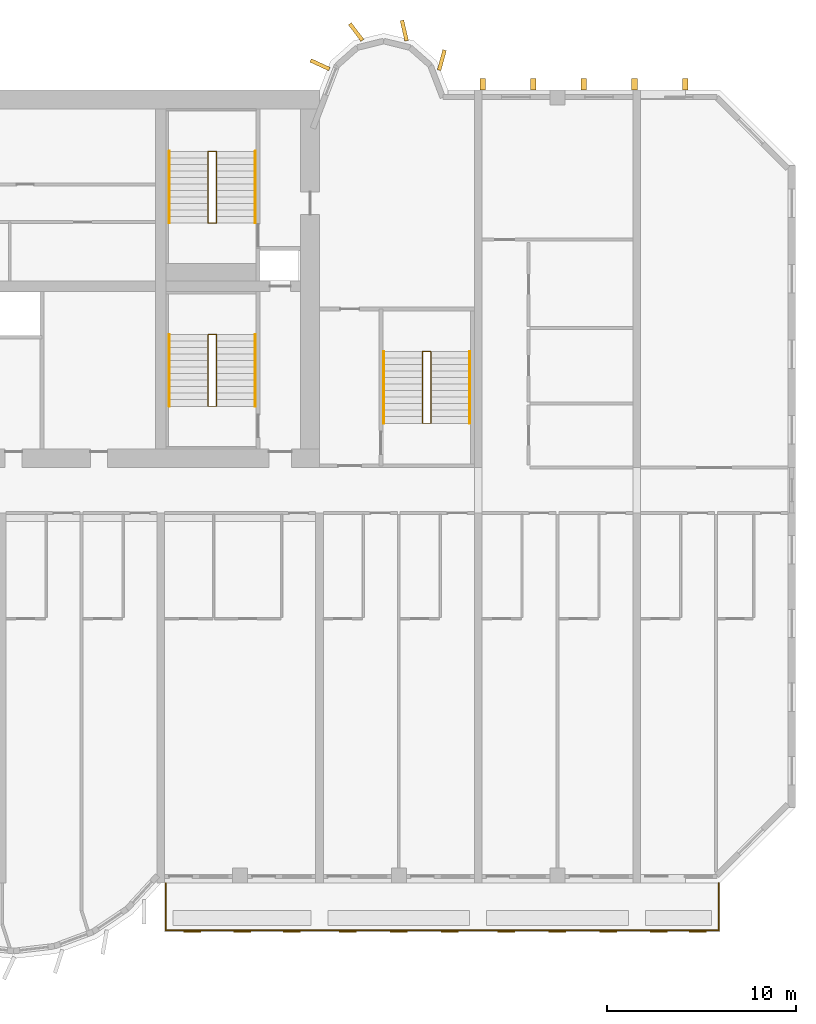
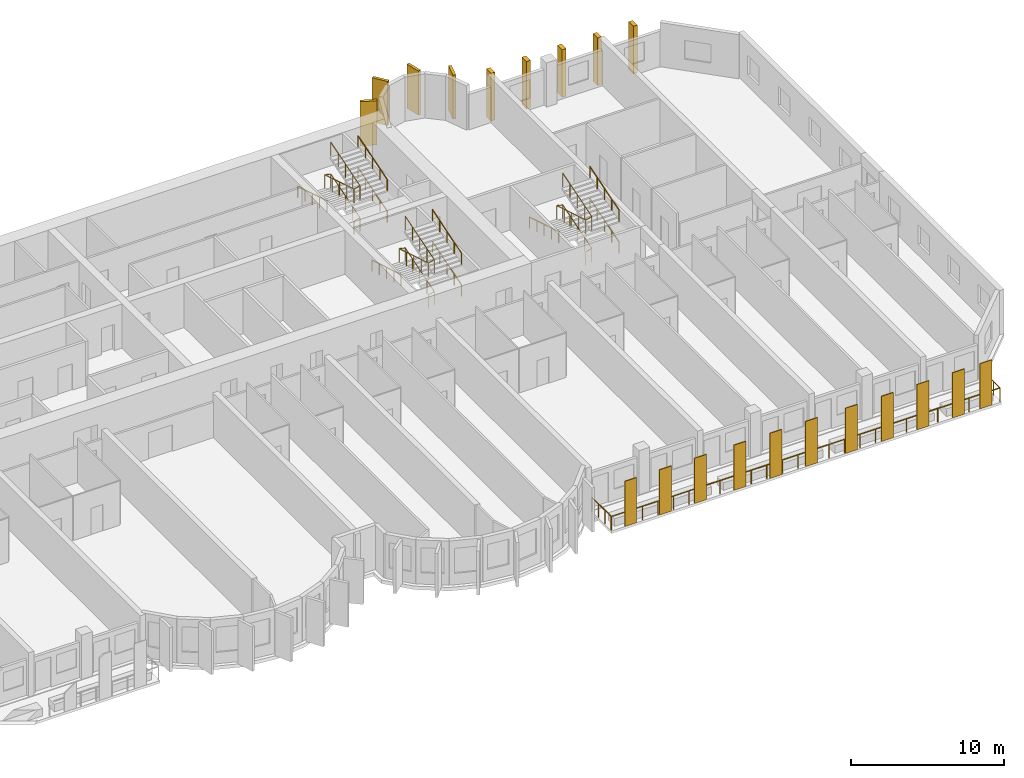
# One storey, part 13 of 14: 20 coverings, 13 railings.
"""IFC4 building model written with IfcOpenShell, lengths in metres."""

import ifcopenshell
import ifcopenshell.guid

model = None  # the IFC model being written
_history = None  # IfcOwnerHistory: only IFC2X3 demands one
_inside = {}  # id of a spatial element -> (the spatial element, [elements in it])
_under = {}  # id of a project, library or spatial element -> (it, [spatial elements below it])
_declared = {}  # id of a project -> (the project, [libraries it declares])
_typed = {}  # id of a type object -> (the type object, [elements of that type])
_made_of = {}  # id of a material, layer set ... -> (it, [elements and type objects made of it])


def new_model(schema):
    """Start an empty IFC model of exactly this schema.

    Asked for "IFC4X3", IfcOpenShell would pick the latest addendum, in which some entities
    have other attributes; the version numbers below select the first issue.
    IFC2X3 requires an IfcOwnerHistory on every rooted entity: one is made here for all.
    """
    global model, _history
    if schema == "IFC4X3":
        model = ifcopenshell.file(schema_version=(4, 3, 0, 0))
    else:
        model = ifcopenshell.file(schema=schema)
    _inside.clear()
    _under.clear()
    _declared.clear()
    _typed.clear()
    _made_of.clear()
    _history = None
    if model.schema == "IFC2X3":
        org = make("IfcOrganization", Name="unknown")
        user = make(
            "IfcPersonAndOrganization",
            ThePerson=make("IfcPerson", FamilyName="unknown"),
            TheOrganization=org,
        )
        app = make(
            "IfcApplication",
            ApplicationDeveloper=org,
            Version="unknown",
            ApplicationFullName="unknown",
            ApplicationIdentifier="unknown",
        )
        _history = make(
            "IfcOwnerHistory",
            OwningUser=user,
            OwningApplication=app,
            ChangeAction="ADDED",
            CreationDate=0,
        )
    return model


def make(cls, **values):
    """One entity of the class cls with the attributes given. An attribute that is None is left unset."""
    return model.create_entity(
        cls, **{name: value for name, value in values.items() if value is not None}
    )


def rooted(cls, **values):
    """An entity with a GlobalId (a new one), such as an element, a storey or a relation."""
    return make(cls, GlobalId=ifcopenshell.guid.new(), OwnerHistory=_history, **values)


def si_unit(unit_type, name, prefix=None):
    """IfcSIUnit, for example si_unit("LENGTHUNIT", "METRE", prefix="MILLI")."""
    return make("IfcSIUnit", UnitType=unit_type, Prefix=prefix, Name=name)


def assignment(units):
    """IfcUnitAssignment: the units of a project."""
    return None if units is None else make("IfcUnitAssignment", Units=units)


def point(xyz):
    """IfcCartesianPoint."""
    return None if xyz is None else make("IfcCartesianPoint", Coordinates=xyz)


def direction(xyz):
    """IfcDirection."""
    return None if xyz is None else make("IfcDirection", DirectionRatios=xyz)


def frame(location, z_axis=None, x_axis=None):
    """IfcAxis2Placement3D, a coordinate frame: its origin and axes. An axis left out is left unset."""
    return make(
        "IfcAxis2Placement3D",
        Location=point(location),
        Axis=direction(z_axis),
        RefDirection=direction(x_axis),
    )


def frame_2d(location, x_axis=None):
    """IfcAxis2Placement2D, a coordinate frame in the plane: its origin and x axis."""
    return make(
        "IfcAxis2Placement2D", Location=point(location), RefDirection=direction(x_axis)
    )


def origin():
    """The frame at (0, 0, 0) with its axes left unset."""
    return frame((0.0, 0.0, 0.0))


def origin_2d():
    """The frame at (0, 0) in the plane with its x axis left unset."""
    return frame_2d((0.0, 0.0))


def place(relative_to, where):
    """IfcLocalPlacement: puts the frame where relative to a parent placement (None: the world)."""
    return make(
        "IfcLocalPlacement", PlacementRelTo=relative_to, RelativePlacement=where
    )


def context(
    kind, dimensions, precision=None, world=None, true_north=None, identifier=None
):
    """IfcGeometricRepresentationContext, for example the 3D "Model" context."""
    return make(
        "IfcGeometricRepresentationContext",
        ContextIdentifier=identifier,
        ContextType=kind,
        CoordinateSpaceDimension=dimensions,
        Precision=precision,
        WorldCoordinateSystem=world,
        TrueNorth=true_north,
    )


def subcontext(parent, identifier, kind, view, scale=None):
    """IfcGeometricRepresentationSubContext, for example "Body" below "Model"."""
    return make(
        "IfcGeometricRepresentationSubContext",
        ContextIdentifier=identifier,
        ContextType=kind,
        ParentContext=parent,
        TargetScale=scale,
        TargetView=view,
    )


def project(units=None, contexts=None):
    """IfcProject with its units and contexts."""
    return rooted(
        "IfcProject",
        Name="project",
        RepresentationContexts=contexts,
        UnitsInContext=assignment(units),
    )


def spatial(cls, under=None, at=None, **own):
    """A site, building, storey or space (cls), placed at a placement, below another one or the project."""
    s = rooted(cls, ObjectPlacement=at, **own)
    if under is not None:
        _under.setdefault(under.id(), (under, []))[1].append(s)
    return s


def profile(cls, at=None, kind="AREA", **sizes):
    """A parametric profile (cls). Its sizes go by their IFC names, for example OverallWidth=200.0."""
    return make(cls, ProfileType=kind, Position=at, **sizes)


def rectangle(**sizes):
    """IfcRectangleProfileDef."""
    return profile("IfcRectangleProfileDef", **sizes)


def circle(**sizes):
    """IfcCircleProfileDef."""
    return profile("IfcCircleProfileDef", **sizes)


def extrude(swept, where, along, depth):
    """IfcExtrudedAreaSolid: the profile swept, set in the frame where, extruded along a direction by depth."""
    return make(
        "IfcExtrudedAreaSolid",
        SweptArea=swept,
        Position=where,
        ExtrudedDirection=direction(along),
        Depth=depth,
    )


def shape(context_of_items, identifier, shape_type, items):
    """IfcShapeRepresentation: the items that make up one representation, for example the "Body"."""
    return make(
        "IfcShapeRepresentation",
        ContextOfItems=context_of_items,
        RepresentationIdentifier=identifier,
        RepresentationType=shape_type,
        Items=items,
    )


def source(mapping_origin, context_of_items, identifier, shape_type, items):
    """IfcRepresentationMap: a shape defined once, which mapped items show again and again."""
    return make(
        "IfcRepresentationMap",
        MappingOrigin=mapping_origin,
        MappedRepresentation=shape(context_of_items, identifier, shape_type, items),
    )


def transform(
    local_origin,
    x_axis=None,
    y_axis=None,
    z_axis=None,
    scale=None,
    scale2=None,
    scale3=None,
    uniform=True,
):
    """IfcCartesianTransformationOperator3D, or its non-uniform kind. x_axis, y_axis, z_axis: its Axis1, 2, 3."""
    if uniform:
        return make(
            "IfcCartesianTransformationOperator3D",
            Axis1=direction(x_axis),
            Axis2=direction(y_axis),
            LocalOrigin=point(local_origin),
            Scale=scale,
            Axis3=direction(z_axis),
        )
    return make(
        "IfcCartesianTransformationOperator3DnonUniform",
        Axis1=direction(x_axis),
        Axis2=direction(y_axis),
        LocalOrigin=point(local_origin),
        Scale=scale,
        Axis3=direction(z_axis),
        Scale2=scale2,
        Scale3=scale3,
    )


def mapped(mapping_source, mapping_target):
    """IfcMappedItem: shows the shape of a source again, moved by a transform."""
    return make(
        "IfcMappedItem", MappingSource=mapping_source, MappingTarget=mapping_target
    )


def material(Name=None, Category=None):
    """IfcMaterial."""
    return make("IfcMaterial", Name=Name, Category=Category)


def layer(
    of_material, thickness, ventilated=None, Name=None, Category=None, Priority=None
):
    """IfcMaterialLayer: one layer of a wall or slab, of a material (None: an air gap)."""
    return make(
        "IfcMaterialLayer",
        Material=of_material,
        LayerThickness=thickness,
        IsVentilated=ventilated,
        Name=Name,
        Category=Category,
        Priority=Priority,
    )


def layer_set(layers, Name=None):
    """IfcMaterialLayerSet."""
    return make("IfcMaterialLayerSet", MaterialLayers=layers, LayerSetName=Name)


def material_profile(
    of_material, cross_section, Name=None, Category=None, Priority=None
):
    """IfcMaterialProfile: a cross section and its material."""
    return make(
        "IfcMaterialProfile",
        Name=Name,
        Material=of_material,
        Profile=cross_section,
        Priority=Priority,
        Category=Category,
    )


def profile_set(profiles, Name=None, composite=None):
    """IfcMaterialProfileSet."""
    return make(
        "IfcMaterialProfileSet",
        Name=Name,
        MaterialProfiles=profiles,
        CompositeProfile=composite,
    )


def made_of(thing, what):
    """Note that an element or type object is made of a material, layer set ...; save() writes the relation."""
    if what is not None:
        _made_of.setdefault(what.id(), (what, []))[1].append(thing)
    return thing


def type_object(cls, material=None, **own):
    """A type object (cls), such as IfcWallType, which elements share."""
    return made_of(rooted(cls, **own), material)


def element(
    cls,
    number,
    at=None,
    inside=None,
    cuts=None,
    type_object=None,
    material=None,
    context=None,
    identifier="Body",
    shape_type=None,
    held_by="IfcProductDefinitionShape",
    body=None,
    shapes=None,
    **own,
):
    """One element of the class cls, such as IfcWall. Its Tag is "e" and its number.

    at: its placement. inside: the storey or other place that contains it. cuts: it is an
    opening in that element (IfcRelVoidsElement). A single representation is given by context,
    identifier, shape_type and body (its items); several are given by shapes. held_by: the class
    of the entity that holds the representations. save() writes the other relations.
    """
    e = rooted(cls, Tag="e%d" % number, ObjectPlacement=at, **own)
    if body is not None:
        shapes = [shape(context, identifier, shape_type, body)]
    if shapes is not None:
        e.Representation = make(held_by, Representations=shapes)
    if inside is not None:
        _inside.setdefault(inside.id(), (inside, []))[1].append(e)
    if cuts is not None:
        rooted(
            "IfcRelVoidsElement", RelatingBuildingElement=cuts, RelatedOpeningElement=e
        )
    if type_object is not None:
        _typed.setdefault(type_object.id(), (type_object, []))[1].append(e)
    return made_of(e, material)


def aggregate(whole, parts):
    """IfcRelAggregates: a whole, such as a stair, and the parts it consists of."""
    return rooted("IfcRelAggregates", RelatingObject=whole, RelatedObjects=parts)


def save(model, path):
    """Write the relations noted so far, then the file.

    IfcRelAggregates (storeys below a building ...), IfcRelContainedInSpatialStructure (elements
    in a storey), IfcRelDefinesByType, IfcRelAssociatesMaterial and IfcRelDeclares: one each for
    every whole, place, type object, material and project.
    """
    for whole, parts in _under.values():
        aggregate(whole, parts)
    for where, things in _inside.values():
        rooted(
            "IfcRelContainedInSpatialStructure",
            RelatedElements=things,
            RelatingStructure=where,
        )
    for kind, things in _typed.values():
        rooted("IfcRelDefinesByType", RelatedObjects=things, RelatingType=kind)
    for what, things in _made_of.values():
        rooted("IfcRelAssociatesMaterial", RelatedObjects=things, RelatingMaterial=what)
    for by, libraries in _declared.values():
        rooted("IfcRelDeclares", RelatingContext=by, RelatedDefinitions=libraries)
    model.write(path)


model = new_model("IFC4")

# Units and contexts
model_context = context("Model", 3, precision=1e-05, world=origin(), true_north=direction((0.0, 1.0)))
body_context = subcontext(model_context, "Body", "Model", "MODEL_VIEW")
ifc_project = project(units=[si_unit("LENGTHUNIT", "METRE"), si_unit("AREAUNIT", "SQUARE_METRE"), si_unit("VOLUMEUNIT", "CUBIC_METRE"), si_unit("PLANEANGLEUNIT", "RADIAN"), si_unit("MASSUNIT", "GRAM", prefix="KILO")], contexts=[model_context])

# Site, building, storey
site_placement = place(None, origin())
site = spatial("IfcSite", under=ifc_project, at=site_placement, CompositionType="ELEMENT")
building_placement = place(site_placement, origin())
building = spatial("IfcBuilding", under=site, at=building_placement, Name="Vanashikhar Sky Hotel", CompositionType="ELEMENT")
storey_placement = place(building_placement, frame((0.0, 0.0, 50.60009765625)))
storey = spatial("IfcBuildingStorey", under=building, at=storey_placement, Name="L11", CompositionType="ELEMENT", Elevation=50.60009765625)

# Railing
ifc_material_1 = material(Name="Stainless steel 316", Category="steel")
railing_type_1 = type_object("IfcRailingType", Name="Balcony guard 1100", PredefinedType="GUARDRAIL", material=ifc_material_1)
shared_shape_1 = source(origin(), body_context, "Body", "SweptSolid", [
    extrude(circle(Radius=0.02392578125, at=origin_2d()), frame((0.0, 0.0, 1.076171875), z_axis=(0.0, -1.0, 0.0), x_axis=(1.0, 0.0, 0.0)), (0.0, 0.0, 1.0), 2.5),
    extrude(circle(Radius=0.02392578125, at=origin_2d()), frame((0.0, -2.5, 1.076171875), z_axis=(1.0, 0.0, 0.0), x_axis=(0.0, 1.0, 0.0)), (0.0, 0.0, 1.0), 29.280029296875),
    extrude(circle(Radius=0.02392578125, at=origin_2d()), frame((29.280029296875, -2.5, 1.076171875), z_axis=(0.0, 1.0, 0.0), x_axis=(-1.0, 0.0, 0.0)), (0.0, 0.0, 1.0), 2.5),
    extrude(circle(Radius=0.02099609375, at=origin_2d()), origin(), (0.0, 0.0, 1.0), 1.052001953125),
    extrude(circle(Radius=0.02099609375, at=origin_2d()), frame((0.0, -0.833251953125, 0.0)), (0.0, 0.0, 1.0), 1.052001953125),
    extrude(circle(Radius=0.02099609375, at=origin_2d()), frame((0.0, -1.666748046875, 0.0)), (0.0, 0.0, 1.0), 1.052001953125),
    extrude(circle(Radius=0.02099609375, at=origin_2d()), frame((0.0, -2.5, 0.0)), (0.0, 0.0, 1.0), 1.052001953125),
    extrude(circle(Radius=0.02099609375, at=origin_2d()), frame((1.171142578125, -2.5, 0.0)), (0.0, 0.0, 1.0), 1.052001953125),
    extrude(circle(Radius=0.02099609375, at=origin_2d()), frame((2.34228515625, -2.5, 0.0)), (0.0, 0.0, 1.0), 1.052001953125),
    extrude(circle(Radius=0.02099609375, at=origin_2d()), frame((3.513671875, -2.5, 0.0)), (0.0, 0.0, 1.0), 1.052001953125),
    extrude(circle(Radius=0.02099609375, at=origin_2d()), frame((4.684814453125, -2.5, 0.0)), (0.0, 0.0, 1.0), 1.052001953125),
    extrude(circle(Radius=0.02099609375, at=origin_2d()), frame((5.85595703125, -2.5, 0.0)), (0.0, 0.0, 1.0), 1.052001953125),
    extrude(circle(Radius=0.02099609375, at=origin_2d()), frame((7.027099609375, -2.5, 0.0)), (0.0, 0.0, 1.0), 1.052001953125),
    extrude(circle(Radius=0.02099609375, at=origin_2d()), frame((8.198486328125, -2.5, 0.0)), (0.0, 0.0, 1.0), 1.052001953125),
    extrude(circle(Radius=0.02099609375, at=origin_2d()), frame((9.36962890625, -2.5, 0.0)), (0.0, 0.0, 1.0), 1.052001953125),
    extrude(circle(Radius=0.02099609375, at=origin_2d()), frame((10.540771484375, -2.5, 0.0)), (0.0, 0.0, 1.0), 1.052001953125),
    extrude(circle(Radius=0.02099609375, at=origin_2d()), frame((11.7119140625, -2.5, 0.0)), (0.0, 0.0, 1.0), 1.052001953125),
    extrude(circle(Radius=0.02099609375, at=origin_2d()), frame((12.88330078125, -2.5, 0.0)), (0.0, 0.0, 1.0), 1.052001953125),
    extrude(circle(Radius=0.02099609375, at=origin_2d()), frame((14.054443359375, -2.5, 0.0)), (0.0, 0.0, 1.0), 1.052001953125),
    extrude(circle(Radius=0.02099609375, at=origin_2d()), frame((15.2255859375, -2.5, 0.0)), (0.0, 0.0, 1.0), 1.052001953125),
    extrude(circle(Radius=0.02099609375, at=origin_2d()), frame((16.396728515625, -2.5, 0.0)), (0.0, 0.0, 1.0), 1.052001953125),
    extrude(circle(Radius=0.02099609375, at=origin_2d()), frame((17.568115234375, -2.5, 0.0)), (0.0, 0.0, 1.0), 1.052001953125),
    extrude(circle(Radius=0.02099609375, at=origin_2d()), frame((18.7392578125, -2.5, 0.0)), (0.0, 0.0, 1.0), 1.052001953125),
    extrude(circle(Radius=0.02099609375, at=origin_2d()), frame((19.910400390625, -2.5, 0.0)), (0.0, 0.0, 1.0), 1.052001953125),
    extrude(circle(Radius=0.02099609375, at=origin_2d()), frame((21.08154296875, -2.5, 0.0)), (0.0, 0.0, 1.0), 1.052001953125),
    extrude(circle(Radius=0.02099609375, at=origin_2d()), frame((22.2529296875, -2.5, 0.0)), (0.0, 0.0, 1.0), 1.052001953125),
    extrude(circle(Radius=0.02099609375, at=origin_2d()), frame((23.424072265625, -2.5, 0.0)), (0.0, 0.0, 1.0), 1.052001953125),
    extrude(circle(Radius=0.02099609375, at=origin_2d()), frame((24.59521484375, -2.5, 0.0)), (0.0, 0.0, 1.0), 1.052001953125),
    extrude(circle(Radius=0.02099609375, at=origin_2d()), frame((25.766357421875, -2.5, 0.0)), (0.0, 0.0, 1.0), 1.052001953125),
    extrude(circle(Radius=0.02099609375, at=origin_2d()), frame((26.937744140625, -2.5, 0.0)), (0.0, 0.0, 1.0), 1.052001953125),
    extrude(circle(Radius=0.02099609375, at=origin_2d()), frame((28.10888671875, -2.5, 0.0)), (0.0, 0.0, 1.0), 1.052001953125),
    extrude(circle(Radius=0.02099609375, at=origin_2d()), frame((29.280029296875, -2.5, 0.0)), (0.0, 0.0, 1.0), 1.052001953125),
    extrude(circle(Radius=0.02099609375, at=origin_2d()), frame((29.280029296875, -1.666748046875, 0.0)), (0.0, 0.0, 1.0), 1.052001953125),
    extrude(circle(Radius=0.02099609375, at=origin_2d()), frame((29.280029296875, -0.833251953125, 0.0)), (0.0, 0.0, 1.0), 1.052001953125),
    extrude(circle(Radius=0.02099609375, at=origin_2d()), frame((29.280029296875, 0.0, 0.0)), (0.0, 0.0, 1.0), 1.052001953125),
])
railing_1_placement = place(storey_placement, frame((67.4599609375, 0.0, -0.050048828125)))
element("IfcRailing", 1, at=railing_1_placement, inside=storey, type_object=railing_type_1, Name="Balcony guard", PredefinedType="GUARDRAIL", context=body_context, shape_type="MappedRepresentation", body=[
    mapped(shared_shape_1, transform((0.0, 0.0, 0.0), scale=1.0)),
])

# Coverings
ifc_material_2 = material(Name="Terracotta", Category="masonry")
ifc_layer = layer(ifc_material_2, 0.06005859375)
ifc_layer_set = layer_set([ifc_layer], Name="Terracotta baguette screen")
covering_type_1 = type_object("IfcCoveringType", Name="Terracotta baguette screen", PredefinedType="CLADDING", material=ifc_layer_set)
shared_shape_2 = source(origin(), body_context, "Body", "SweptSolid", [
    extrude(rectangle(XDim=0.89990234375, YDim=0.06005859375, at=origin_2d()), origin(), (0.0, 0.0, 1.0), 3.60009765625),
])
for number, where, z_axis, x_axis, name in (
    (2, (68.86669921875, -2.570068359375, -0.050048828125), (0.0, 0.0, 1.0), (1.0, 0.0, 0.0), "Terracotta screen"),
    (3, (71.5, -2.570068359375, -0.050048828125), (0.0, 0.0, 1.0), (1.0, 0.0, 0.0), "Terracotta screen"),
    (4, (74.13330078125, -2.570068359375, -0.050048828125), (0.0, 0.0, 1.0), (1.0, 0.0, 0.0), "Terracotta screen"),
    (5, (77.10009765625, -2.570068359375, -0.050048828125), (0.0, 0.0, 1.0), (1.0, 0.0, 0.0), "Terracotta screen"),
    (6, (79.800048828125, -2.570068359375, -0.050048828125), (0.0, 0.0, 1.0), (1.0, 0.0, 0.0), "Terracotta screen"),
    (7, (82.5, -2.570068359375, -0.050048828125), (0.0, 0.0, 1.0), (1.0, 0.0, 0.0), "Terracotta screen"),
    (8, (85.5, -2.570068359375, -0.050048828125), (0.0, 0.0, 1.0), (1.0, 0.0, 0.0), "Terracotta screen"),
    (9, (88.199951171875, -2.570068359375, -0.050048828125), (0.0, 0.0, 1.0), (1.0, 0.0, 0.0), "Terracotta screen"),
    (10, (90.89990234375, -2.570068359375, -0.050048828125), (0.0, 0.0, 1.0), (1.0, 0.0, 0.0), "Terracotta screen"),
    (11, (93.574951171875, -2.570068359375, -0.050048828125), (0.0, 0.0, 1.0), (1.0, 0.0, 0.0), "Terracotta screen"),
    (12, (95.625, -2.570068359375, -0.050048828125), (0.0, 0.0, 1.0), (1.0, 0.0, 0.0), "Terracotta screen"),
):
    element("IfcCovering", number, at=place(storey_placement, frame(where, z_axis=z_axis, x_axis=x_axis)), inside=storey, type_object=covering_type_1, Name=name, PredefinedType="CLADDING", context=body_context, shape_type="MappedRepresentation", body=[
        mapped(shared_shape_2, transform((0.0, 0.0, 0.0), scale=1.0)),
    ])
ifc_material_3 = material(Name="Concrete M60 dark", Category="concrete")
ifc_material_profile_1 = material_profile(ifc_material_3, rectangle(XDim=1.10009765625, YDim=0.199951171875, at=origin_2d()))
ifc_profile_set_1 = profile_set([ifc_material_profile_1], Name="Rear lobe fin 1100 x 200")
covering_type_2 = type_object("IfcCoveringType", Name="Rear lobe fin 1100 x 200", PredefinedType="CLADDING", material=ifc_profile_set_1)
shared_shape_3 = source(origin(), body_context, "Body", "SweptSolid", [
    extrude(rectangle(XDim=1.10009765625, YDim=0.199951171875, at=origin_2d()), origin(), (0.0, 0.0, 1.0), 3.52001953125),
])
for number, where, z_axis, x_axis, name in (
    (13, (75.63037109375, 43.33447265625, 0.0), (0.0, 0.0, 1.0), (-0.908004291068, 0.418960866193, 0.0), "Fin R2-1"),
    (14, (77.5380859375, 45.06640625, 0.0), (0.0, 0.0, 1.0), (-0.602065892195, 0.798446404874, 0.0), "Fin R2-2"),
    (15, (80.08984375, 45.1455078125, 0.0), (0.0, 0.0, 1.0), (-0.224644935864, 0.974440687159, 0.0), "Fin R2-3"),
    (16, (82.0791015625, 43.580078125, 0.0), (0.0, 0.0, 1.0), (0.262711264409, 0.964874495234, 0.0), "Fin R2-4"),
):
    element("IfcCovering", number, at=place(storey_placement, frame(where, z_axis=z_axis, x_axis=x_axis)), inside=storey, type_object=covering_type_2, Name=name, PredefinedType="CLADDING", context=body_context, shape_type="MappedRepresentation", body=[
        mapped(shared_shape_3, transform((0.0, 0.0, 0.0), scale=1.0)),
    ])
ifc_material_profile_2 = material_profile(ifc_material_3, rectangle(XDim=0.60009765625, YDim=0.300048828125, at=origin_2d()))
ifc_profile_set_2 = profile_set([ifc_material_profile_2], Name="Rear rib 600 x 300")
covering_type_3 = type_object("IfcCoveringType", Name="Rear rib 600 x 300", PredefinedType="CLADDING", material=ifc_profile_set_2)
shared_shape_4 = source(origin(), body_context, "Body", "SweptSolid", [
    extrude(rectangle(XDim=0.60009765625, YDim=0.300048828125, at=origin_2d()), origin(), (0.0, 0.0, 1.0), 3.800048828125),
])
for number, where, z_axis, x_axis, name in (
    (17, (84.239990234375, 42.300048828125, -0.280029296875), (0.0, 0.0, 1.0), (0.0, 1.0, 0.0), "Rear rib"),
    (18, (86.919921875, 42.300048828125, -0.280029296875), (0.0, 0.0, 1.0), (0.0, 1.0, 0.0), "Rear rib"),
    (19, (89.60009765625, 42.300048828125, -0.280029296875), (0.0, 0.0, 1.0), (0.0, 1.0, 0.0), "Rear rib"),
    (20, (92.280029296875, 42.300048828125, -0.280029296875), (0.0, 0.0, 1.0), (0.0, 1.0, 0.0), "Rear rib"),
    (21, (94.9599609375, 42.300048828125, -0.280029296875), (0.0, 0.0, 1.0), (0.0, 1.0, 0.0), "Rear rib"),
):
    element("IfcCovering", number, at=place(storey_placement, frame(where, z_axis=z_axis, x_axis=x_axis)), inside=storey, type_object=covering_type_3, Name=name, PredefinedType="CLADDING", context=body_context, shape_type="MappedRepresentation", body=[
        mapped(shared_shape_4, transform((0.0, 0.0, 0.0), scale=1.0)),
    ])

# Railings
ifc_material_4 = material(Name="Steel S355", Category="steel")
railing_type_2 = type_object("IfcRailingType", Name="Stair handrail 900", PredefinedType="HANDRAIL", material=ifc_material_4)
shared_shape_5 = source(origin(), body_context, "Body", "SweptSolid", [
    extrude(circle(Radius=0.02392578125, at=origin_2d()), frame((0.0, 0.0, 0.8759765625), z_axis=(0.0, 0.95635109408, 0.292220096591), x_axis=(-1.0, 0.0, 0.0)), (0.0, 0.0, 1.0), 3.973388671875),
    extrude(circle(Radius=0.02099609375, at=origin_2d()), origin(), (0.0, 0.0, 1.0), 0.851806640625),
    extrude(circle(Radius=0.02099609375, at=origin_2d()), frame((0.0, 0.949951171875, 0.290283203125)), (0.0, 0.0, 1.0), 0.851806640625),
    extrude(circle(Radius=0.02099609375, at=origin_2d()), frame((0.0, 1.89990234375, 0.58056640625)), (0.0, 0.0, 1.0), 0.851806640625),
    extrude(circle(Radius=0.02099609375, at=origin_2d()), frame((0.0, 2.85009765625, 0.870849609375)), (0.0, 0.0, 1.0), 0.851806640625),
    extrude(circle(Radius=0.02099609375, at=origin_2d()), frame((0.0, 3.800048828125, 1.1611328125)), (0.0, 0.0, 1.0), 0.851806640625),
])
for number, where, name in (
    (22, (72.199951171875, 25.25, 0.10546875), "Exit stair 2 handrail"),
    (23, (72.199951171875, 25.25, 2.638671875), "Exit stair 2 handrail"),
    (24, (72.199951171875, 34.949951171875, 0.10546875), "Exit stair 6 handrail"),
    (25, (72.199951171875, 34.949951171875, 2.638671875), "Exit stair 6 handrail"),
):
    element("IfcRailing", number, at=place(storey_placement, frame(where)), inside=storey, type_object=railing_type_2, Name=name, PredefinedType="HANDRAIL", context=body_context, shape_type="MappedRepresentation", body=[
        mapped(shared_shape_5, transform((0.0, 0.0, 0.0), scale=1.0)),
    ])
shared_shape_6 = source(origin(), body_context, "Body", "SweptSolid", [
    extrude(circle(Radius=0.02392578125, at=origin_2d()), frame((0.0, 0.0, 0.8759765625), z_axis=(0.0, -0.95635109408, 0.292220096591), x_axis=(1.0, 0.0, 0.0)), (0.0, 0.0, 1.0), 3.973388671875),
    extrude(circle(Radius=0.02099609375, at=origin_2d()), origin(), (0.0, 0.0, 1.0), 0.851806640625),
    extrude(circle(Radius=0.02099609375, at=origin_2d()), frame((0.0, -0.949951171875, 0.290283203125)), (0.0, 0.0, 1.0), 0.851806640625),
    extrude(circle(Radius=0.02099609375, at=origin_2d()), frame((0.0, -1.89990234375, 0.58056640625)), (0.0, 0.0, 1.0), 0.851806640625),
    extrude(circle(Radius=0.02099609375, at=origin_2d()), frame((0.0, -2.85009765625, 0.870849609375)), (0.0, 0.0, 1.0), 0.851806640625),
    extrude(circle(Radius=0.02099609375, at=origin_2d()), frame((0.0, -3.800048828125, 1.1611328125)), (0.0, 0.0, 1.0), 0.851806640625),
])
for number, where, name in (
    (26, (67.64990234375, 29.050048828125, 1.3720703125), "Exit stair 2 handrail"),
    (27, (67.64990234375, 38.75, 1.3720703125), "Exit stair 6 handrail"),
):
    element("IfcRailing", number, at=place(storey_placement, frame(where)), inside=storey, type_object=railing_type_2, Name=name, PredefinedType="HANDRAIL", context=body_context, shape_type="MappedRepresentation", body=[
        mapped(shared_shape_6, transform((0.0, 0.0, 0.0), scale=1.0)),
    ])
railing_type_3 = type_object("IfcRailingType", Name="Stair guard 1100", PredefinedType="GUARDRAIL", material=ifc_material_4)
shared_shape_7 = source(origin(), body_context, "Body", "SweptSolid", [
    extrude(circle(Radius=0.02392578125, at=origin_2d()), frame((0.0, 0.0, 1.076171875), z_axis=(0.973610808694, 0.0, 0.228214796178), x_axis=(0.0, 1.0, 0.0)), (0.0, 0.0, 1.0), 0.462158203125),
    extrude(circle(Radius=0.02392578125, at=origin_2d()), frame((0.449951171875, 0.0, 1.181640625), z_axis=(0.0, 0.95635109408, 0.292220096591), x_axis=(-1.0, 0.0, 0.0)), (0.0, 0.0, 1.0), 3.973388671875),
    extrude(circle(Radius=0.02392578125, at=origin_2d()), frame((0.449951171875, 3.800048828125, 2.3427734375), z_axis=(-0.973610808694, 0.0, 0.228214796178), x_axis=(0.0, -1.0, 0.0)), (0.0, 0.0, 1.0), 0.462158203125),
    extrude(circle(Radius=0.02392578125, at=origin_2d()), frame((0.0, 3.800048828125, 2.4482421875), z_axis=(0.0, -0.95635109408, 0.292220096591), x_axis=(1.0, 0.0, 0.0)), (0.0, 0.0, 1.0), 3.973388671875),
    extrude(circle(Radius=0.02392578125, at=origin_2d()), frame((0.0, 0.0, 3.609375), z_axis=(0.973610808694, 0.0, 0.228214796178), x_axis=(0.0, 1.0, 0.0)), (0.0, 0.0, 1.0), 0.462158203125),
    extrude(circle(Radius=0.02392578125, at=origin_2d()), frame((0.449951171875, 0.0, 3.71484375), z_axis=(0.0, 0.95635109408, 0.292220096591), x_axis=(-1.0, 0.0, 0.0)), (0.0, 0.0, 1.0), 3.973388671875),
    extrude(circle(Radius=0.02099609375, at=origin_2d()), origin(), (0.0, 0.0, 1.0), 1.052001953125),
    extrude(circle(Radius=0.02099609375, at=origin_2d()), frame((0.449951171875, 0.0, 0.10546875)), (0.0, 0.0, 1.0), 1.052001953125),
    extrude(circle(Radius=0.02099609375, at=origin_2d()), frame((0.449951171875, 0.949951171875, 0.395751953125)), (0.0, 0.0, 1.0), 1.052001953125),
    extrude(circle(Radius=0.02099609375, at=origin_2d()), frame((0.449951171875, 1.89990234375, 0.68603515625)), (0.0, 0.0, 1.0), 1.052001953125),
    extrude(circle(Radius=0.02099609375, at=origin_2d()), frame((0.449951171875, 2.85009765625, 0.976318359375)), (0.0, 0.0, 1.0), 1.052001953125),
    extrude(circle(Radius=0.02099609375, at=origin_2d()), frame((0.449951171875, 3.800048828125, 1.2666015625)), (0.0, 0.0, 1.0), 1.052001953125),
    extrude(circle(Radius=0.02099609375, at=origin_2d()), frame((0.0, 3.800048828125, 1.3720703125)), (0.0, 0.0, 1.0), 1.052001953125),
    extrude(circle(Radius=0.02099609375, at=origin_2d()), frame((0.0, 2.85009765625, 1.662353515625)), (0.0, 0.0, 1.0), 1.052001953125),
    extrude(circle(Radius=0.02099609375, at=origin_2d()), frame((0.0, 1.89990234375, 1.95263671875)), (0.0, 0.0, 1.0), 1.052001953125),
    extrude(circle(Radius=0.02099609375, at=origin_2d()), frame((0.0, 0.949951171875, 2.242919921875)), (0.0, 0.0, 1.0), 1.052001953125),
    extrude(circle(Radius=0.02099609375, at=origin_2d()), frame((0.0, 0.0, 2.533203125)), (0.0, 0.0, 1.0), 1.052001953125),
    extrude(circle(Radius=0.02099609375, at=origin_2d()), frame((0.449951171875, 0.0, 2.638671875)), (0.0, 0.0, 1.0), 1.052001953125),
    extrude(circle(Radius=0.02099609375, at=origin_2d()), frame((0.449951171875, 0.949951171875, 2.928955078125)), (0.0, 0.0, 1.0), 1.052001953125),
    extrude(circle(Radius=0.02099609375, at=origin_2d()), frame((0.449951171875, 1.89990234375, 3.21923828125)), (0.0, 0.0, 1.0), 1.052001953125),
    extrude(circle(Radius=0.02099609375, at=origin_2d()), frame((0.449951171875, 2.85009765625, 3.509521484375)), (0.0, 0.0, 1.0), 1.052001953125),
    extrude(circle(Radius=0.02099609375, at=origin_2d()), frame((0.449951171875, 3.800048828125, 3.7998046875)), (0.0, 0.0, 1.0), 1.052001953125),
])
for number, where, name in (
    (28, (69.699951171875, 25.25, 0.0), "Exit stair 2 guard"),
    (29, (69.699951171875, 34.949951171875, 0.0), "Exit stair 6 guard"),
):
    element("IfcRailing", number, at=place(storey_placement, frame(where)), inside=storey, type_object=railing_type_3, Name=name, PredefinedType="GUARDRAIL", context=body_context, shape_type="MappedRepresentation", body=[
        mapped(shared_shape_7, transform((0.0, 0.0, 0.0), scale=1.0)),
    ])
shared_shape_8 = source(origin(), body_context, "Body", "SweptSolid", [
    extrude(circle(Radius=0.02392578125, at=origin_2d()), frame((0.0, 0.0, 0.8759765625), z_axis=(0.0, 0.956345846891, 0.292237268557), x_axis=(-1.0, 0.0, 0.0)), (0.0, 0.0, 1.0), 3.97314453125),
    extrude(circle(Radius=0.02099609375, at=origin_2d()), origin(), (0.0, 0.0, 1.0), 0.851806640625),
    extrude(circle(Radius=0.02099609375, at=origin_2d()), frame((0.0, 0.949951171875, 0.290283203125)), (0.0, 0.0, 1.0), 0.851806640625),
    extrude(circle(Radius=0.02099609375, at=origin_2d()), frame((0.0, 1.89990234375, 0.58056640625)), (0.0, 0.0, 1.0), 0.851806640625),
    extrude(circle(Radius=0.02099609375, at=origin_2d()), frame((0.0, 2.849853515625, 0.870849609375)), (0.0, 0.0, 1.0), 0.851806640625),
    extrude(circle(Radius=0.02099609375, at=origin_2d()), frame((0.0, 3.7998046875, 1.1611328125)), (0.0, 0.0, 1.0), 0.851806640625),
])
for number, where, name in (
    (30, (83.550048828125, 24.35009765625, 0.10546875), "Exit stair 4 handrail"),
    (31, (83.550048828125, 24.35009765625, 2.638671875), "Exit stair 4 handrail"),
):
    element("IfcRailing", number, at=place(storey_placement, frame(where)), inside=storey, type_object=railing_type_2, Name=name, PredefinedType="HANDRAIL", context=body_context, shape_type="MappedRepresentation", body=[
        mapped(shared_shape_8, transform((0.0, 0.0, 0.0), scale=1.0)),
    ])
shared_shape_9 = source(origin(), body_context, "Body", "SweptSolid", [
    extrude(circle(Radius=0.02392578125, at=origin_2d()), frame((0.0, 0.0, 0.8759765625), z_axis=(0.0, -0.956345846891, 0.292237268557), x_axis=(1.0, 0.0, 0.0)), (0.0, 0.0, 1.0), 3.97314453125),
    extrude(circle(Radius=0.02099609375, at=origin_2d()), origin(), (0.0, 0.0, 1.0), 0.851806640625),
    extrude(circle(Radius=0.02099609375, at=origin_2d()), frame((0.0, -0.949951171875, 0.290283203125)), (0.0, 0.0, 1.0), 0.851806640625),
    extrude(circle(Radius=0.02099609375, at=origin_2d()), frame((0.0, -1.89990234375, 0.58056640625)), (0.0, 0.0, 1.0), 0.851806640625),
    extrude(circle(Radius=0.02099609375, at=origin_2d()), frame((0.0, -2.849853515625, 0.870849609375)), (0.0, 0.0, 1.0), 0.851806640625),
    extrude(circle(Radius=0.02099609375, at=origin_2d()), frame((0.0, -3.7998046875, 1.1611328125)), (0.0, 0.0, 1.0), 0.851806640625),
])
railing_2_placement = place(storey_placement, frame((79.0, 28.14990234375, 1.3720703125)))
element("IfcRailing", 32, at=railing_2_placement, inside=storey, type_object=railing_type_2, Name="Exit stair 4 handrail", PredefinedType="HANDRAIL", context=body_context, shape_type="MappedRepresentation", body=[
    mapped(shared_shape_9, transform((0.0, 0.0, 0.0), scale=1.0)),
])
shared_shape_10 = source(origin(), body_context, "Body", "SweptSolid", [
    extrude(circle(Radius=0.02392578125, at=origin_2d()), frame((0.0, 0.0, 1.076171875), z_axis=(0.973610808694, 0.0, 0.228214796178), x_axis=(0.0, 1.0, 0.0)), (0.0, 0.0, 1.0), 0.462158203125),
    extrude(circle(Radius=0.02392578125, at=origin_2d()), frame((0.449951171875, 0.0, 1.181640625), z_axis=(0.0, 0.956345846891, 0.292237268557), x_axis=(-1.0, 0.0, 0.0)), (0.0, 0.0, 1.0), 3.97314453125),
    extrude(circle(Radius=0.02392578125, at=origin_2d()), frame((0.449951171875, 3.7998046875, 2.3427734375), z_axis=(-0.973610808694, 0.0, 0.228214796178), x_axis=(0.0, -1.0, 0.0)), (0.0, 0.0, 1.0), 0.462158203125),
    extrude(circle(Radius=0.02392578125, at=origin_2d()), frame((0.0, 3.7998046875, 2.4482421875), z_axis=(0.0, -0.956345846891, 0.292237268557), x_axis=(1.0, 0.0, 0.0)), (0.0, 0.0, 1.0), 3.97314453125),
    extrude(circle(Radius=0.02392578125, at=origin_2d()), frame((0.0, 0.0, 3.609375), z_axis=(0.973610808694, 0.0, 0.228214796178), x_axis=(0.0, 1.0, 0.0)), (0.0, 0.0, 1.0), 0.462158203125),
    extrude(circle(Radius=0.02392578125, at=origin_2d()), frame((0.449951171875, 0.0, 3.71484375), z_axis=(0.0, 0.956345846891, 0.292237268557), x_axis=(-1.0, 0.0, 0.0)), (0.0, 0.0, 1.0), 3.97314453125),
    extrude(circle(Radius=0.02099609375, at=origin_2d()), origin(), (0.0, 0.0, 1.0), 1.052001953125),
    extrude(circle(Radius=0.02099609375, at=origin_2d()), frame((0.449951171875, 0.0, 0.10546875)), (0.0, 0.0, 1.0), 1.052001953125),
    extrude(circle(Radius=0.02099609375, at=origin_2d()), frame((0.449951171875, 0.949951171875, 0.395751953125)), (0.0, 0.0, 1.0), 1.052001953125),
    extrude(circle(Radius=0.02099609375, at=origin_2d()), frame((0.449951171875, 1.89990234375, 0.68603515625)), (0.0, 0.0, 1.0), 1.052001953125),
    extrude(circle(Radius=0.02099609375, at=origin_2d()), frame((0.449951171875, 2.849853515625, 0.976318359375)), (0.0, 0.0, 1.0), 1.052001953125),
    extrude(circle(Radius=0.02099609375, at=origin_2d()), frame((0.449951171875, 3.7998046875, 1.2666015625)), (0.0, 0.0, 1.0), 1.052001953125),
    extrude(circle(Radius=0.02099609375, at=origin_2d()), frame((0.0, 3.7998046875, 1.3720703125)), (0.0, 0.0, 1.0), 1.052001953125),
    extrude(circle(Radius=0.02099609375, at=origin_2d()), frame((0.0, 2.849853515625, 1.662353515625)), (0.0, 0.0, 1.0), 1.052001953125),
    extrude(circle(Radius=0.02099609375, at=origin_2d()), frame((0.0, 1.89990234375, 1.95263671875)), (0.0, 0.0, 1.0), 1.052001953125),
    extrude(circle(Radius=0.02099609375, at=origin_2d()), frame((0.0, 0.949951171875, 2.242919921875)), (0.0, 0.0, 1.0), 1.052001953125),
    extrude(circle(Radius=0.02099609375, at=origin_2d()), frame((0.0, 0.0, 2.533203125)), (0.0, 0.0, 1.0), 1.052001953125),
    extrude(circle(Radius=0.02099609375, at=origin_2d()), frame((0.449951171875, 0.0, 2.638671875)), (0.0, 0.0, 1.0), 1.052001953125),
    extrude(circle(Radius=0.02099609375, at=origin_2d()), frame((0.449951171875, 0.949951171875, 2.928955078125)), (0.0, 0.0, 1.0), 1.052001953125),
    extrude(circle(Radius=0.02099609375, at=origin_2d()), frame((0.449951171875, 1.89990234375, 3.21923828125)), (0.0, 0.0, 1.0), 1.052001953125),
    extrude(circle(Radius=0.02099609375, at=origin_2d()), frame((0.449951171875, 2.849853515625, 3.509521484375)), (0.0, 0.0, 1.0), 1.052001953125),
    extrude(circle(Radius=0.02099609375, at=origin_2d()), frame((0.449951171875, 3.7998046875, 3.7998046875)), (0.0, 0.0, 1.0), 1.052001953125),
])
railing_3_placement = place(storey_placement, frame((81.050048828125, 24.35009765625, 0.0)))
element("IfcRailing", 33, at=railing_3_placement, inside=storey, type_object=railing_type_3, Name="Exit stair 4 guard", PredefinedType="GUARDRAIL", context=body_context, shape_type="MappedRepresentation", body=[
    mapped(shared_shape_10, transform((0.0, 0.0, 0.0), scale=1.0)),
])

save(model, "model.ifc")
